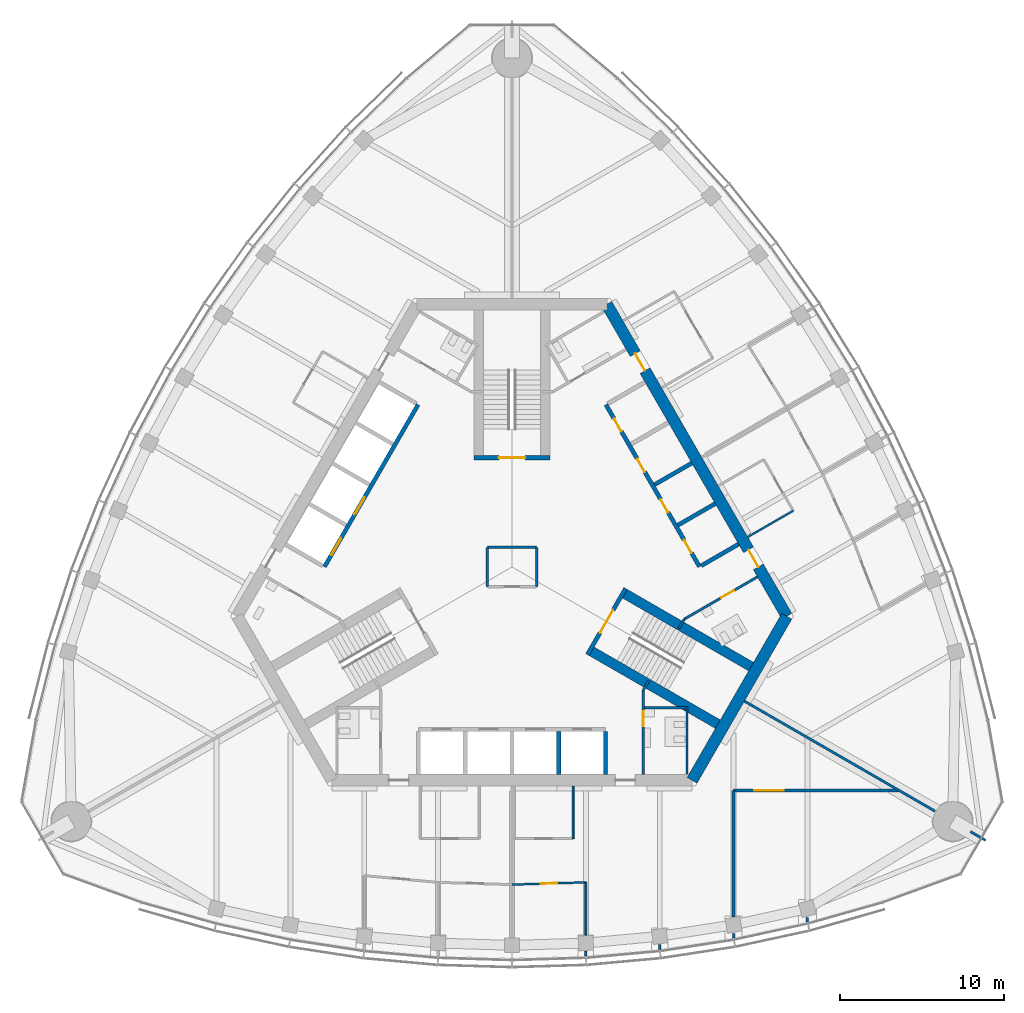
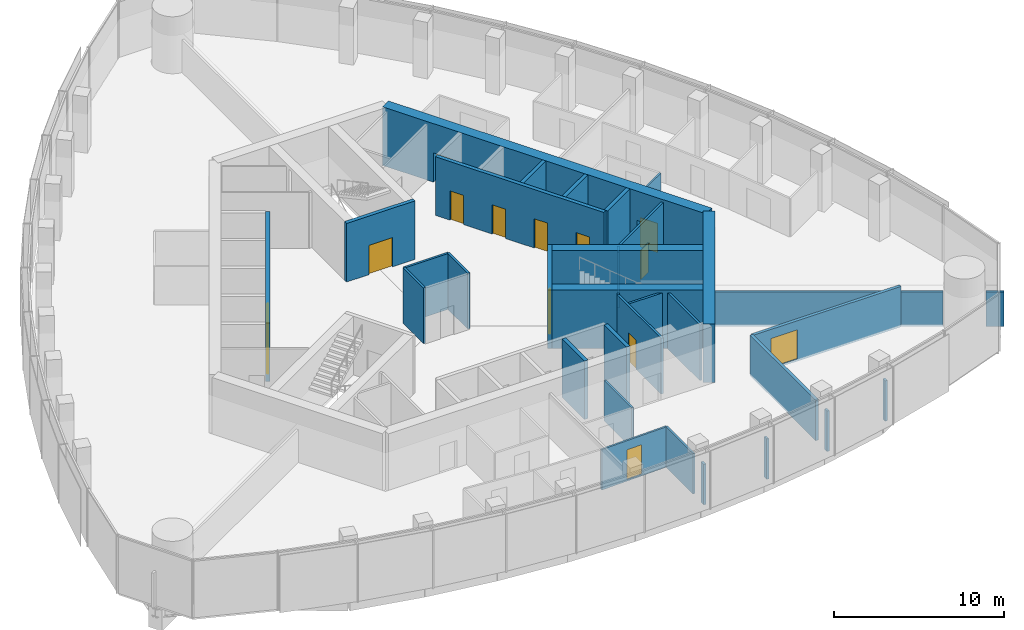
# One storey, part 9 of 16: 34 walls, 14 doors, 14 openings.
"""IFC4 building model written with IfcOpenShell, lengths in metres."""

from ifc_helpers import new_model, si_unit, direction, frame, frame_2d, origin, place, context, subcontext, project, spatial, rectangle, extrude, material, layer, layer_set, type_object, element, fill, save


model = new_model("IFC4")

# Units and contexts
model_context = context("Model", 3, precision=1e-05, world=origin(), true_north=direction((0.0, 1.0)))
body_context = subcontext(model_context, "Body", "Model", "MODEL_VIEW")
ifc_project = project(units=[si_unit("LENGTHUNIT", "METRE"), si_unit("AREAUNIT", "SQUARE_METRE"), si_unit("VOLUMEUNIT", "CUBIC_METRE"), si_unit("PLANEANGLEUNIT", "RADIAN"), si_unit("MASSUNIT", "GRAM", prefix="KILO")], contexts=[model_context])

# Site, building, storey
site_placement = place(None, origin())
site = spatial("IfcSite", under=ifc_project, at=site_placement, CompositionType="ELEMENT")
building_placement = place(site_placement, origin())
building = spatial("IfcBuilding", under=site, at=building_placement, Name="Trefoil Bronze Tower", CompositionType="ELEMENT")
storey_placement = place(building_placement, frame((0.0, 0.0, 297.300048828125)))
storey = spatial("IfcBuildingStorey", under=building, at=storey_placement, Name="L68", CompositionType="ELEMENT", Elevation=297.300048828125)

# Wall, opening, door
ifc_material_1 = material(Name="Gypsum board on steel studs", Category="steel")
ifc_layer_1 = layer(ifc_material_1, 0.199951171875)
ifc_layer_set_1 = layer_set([ifc_layer_1], Name="Acoustic partition 200")
wall_type_1 = type_object("IfcWallType", Name="Acoustic partition 200", PredefinedType="PARTITIONING", material=ifc_layer_set_1)
wall_1_placement = place(storey_placement, frame((13.5, -13.6201171875, 0.0), z_axis=(0.0, 0.0, 1.0), x_axis=(1.0, 0.0, 0.0)))
wall_1 = element("IfcWall", 1, at=wall_1_placement, inside=storey, type_object=wall_type_1, Name="Partition F1 L68", PredefinedType="PARTITIONING", context=body_context, shape_type="SweptSolid", body=[
    extrude(rectangle(XDim=10.070068359375, YDim=0.199951171875, at=frame_2d((5.03515625, 0.0))), origin(), (0.0, 0.0, 1.0), 2.89990234375),
])
opening_1_placement = place(wall_1_placement, frame((1.25, 0.0, 0.14990234375)))
opening_1 = element("IfcOpeningElement", 2, at=opening_1_placement, cuts=wall_1, Name="Opening D10", PredefinedType="OPENING", context=body_context, shape_type="SweptSolid", body=[
    extrude(rectangle(XDim=1.800048828125, YDim=2.10009765625, at=frame_2d((0.89990234375, 1.050048828125))), frame((0.0, 0.10986328125, 0.0), z_axis=(0.0, -1.0, 0.0), x_axis=(1.0, 0.0, 0.0)), (0.0, 0.0, 1.0), 0.219970703125),
])
ifc_material_2 = material(Name="Timber door", Category="wood")
door_type_1 = type_object("IfcDoorType", Name="Double door 1800", OperationType="DOUBLE_DOOR_SINGLE_SWING", PredefinedType="DOOR", material=ifc_material_2)
door_1_placement = place(opening_1_placement, frame((1.800048828125, 0.0, 0.0), z_axis=(0.0, 0.0, 1.0), x_axis=(-1.0, 0.0, 0.0)))
door_1 = element("IfcDoor", 3, at=door_1_placement, inside=storey, type_object=door_type_1, Name="Boardroom door F1 L68", OperationType="DOUBLE_DOOR_SINGLE_SWING", OverallHeight=2.10009765625, OverallWidth=1.800048828125, PredefinedType="DOOR", context=body_context, shape_type="SweptSolid", body=[
    extrude(rectangle(XDim=1.800048828125, YDim=2.10009765625, at=frame_2d((0.89990234375, 1.050048828125))), frame((0.0, 0.02490234375, 0.0), z_axis=(0.0, -1.0, 0.0), x_axis=(1.0, 0.0, 0.0)), (0.0, 0.0, 1.0), 0.050048828125),
])
fill(opening_1, door_1)

# Walls
wall_2_placement = place(storey_placement, frame((13.5, -13.6201171875, 0.0), z_axis=(0.0, 0.0, 1.0), x_axis=(0.0, -1.0, 0.0)))
element("IfcWall", 4, at=wall_2_placement, inside=storey, type_object=wall_type_1, Name="Partition F1 L68", PredefinedType="PARTITIONING", context=body_context, shape_type="SweptSolid", body=[
    extrude(rectangle(XDim=7.694580078125, YDim=0.199951171875, at=frame_2d((3.84716796875, 0.0))), origin(), (0.0, 0.0, 1.0), 2.89990234375),
])
ifc_material_3 = material(Name="Concrete B80", Category="concrete")
ifc_layer_2 = layer(ifc_material_3, 0.699951171875)
ifc_layer_set_2 = layer_set([ifc_layer_2], Name="Core wall 700")
wall_type_2 = type_object("IfcWallType", Name="Core wall 700", PredefinedType="SHEAR", material=ifc_layer_set_2)
wall_3_placement = place(storey_placement, frame((10.9697265625, -13.0, 0.0), z_axis=(0.0, 0.0, 1.0), x_axis=(0.499995765644, 0.866027848477, 0.0)))
element("IfcWall", 5, at=wall_3_placement, inside=storey, type_object=wall_type_2, Name="Core short wall 1 L68", PredefinedType="SHEAR", context=body_context, shape_type="SweptSolid", body=[
    extrude(rectangle(XDim=11.546875, YDim=0.699951171875, at=frame_2d((5.7734375, 0.0))), origin(), (0.0, 0.0, 1.0), 4.199951171875),
])

# Wall, openings, doors
wall_4_placement = place(storey_placement, frame((16.7431640625, -3.0, 0.0), z_axis=(0.0, 0.0, 1.0), x_axis=(-0.500002442456, 0.866023993627, 0.0)))
wall_4 = element("IfcWall", 6, at=wall_4_placement, inside=storey, type_object=wall_type_2, Name="Core long wall 2 L68", PredefinedType="SHEAR", context=body_context, shape_type="SweptSolid", body=[
    extrude(rectangle(XDim=21.939453125, YDim=0.699951171875, at=frame_2d((10.9697265625, 0.0))), origin(), (0.0, 0.0, 1.0), 4.199951171875),
])
opening_2_placement = place(wall_4_placement, frame((17.269775390625, 0.0, 0.0)))
opening_2 = element("IfcOpeningElement", 7, at=opening_2_placement, cuts=wall_4, Name="Opening D2", PredefinedType="OPENING", context=body_context, shape_type="SweptSolid", body=[
    extrude(rectangle(XDim=1.199951171875, YDim=2.10009765625, at=frame_2d((0.60009765625, 1.050048828125))), frame((0.0, 0.35986328125, 0.0), z_axis=(0.0, -1.0, 0.0), x_axis=(1.0, 0.0, 0.0)), (0.0, 0.0, 1.0), 0.719970703125),
])
opening_3_placement = place(wall_4_placement, frame((3.4697265625, 0.0, 0.0)))
opening_3 = element("IfcOpeningElement", 8, at=opening_3_placement, cuts=wall_4, Name="Opening D2", PredefinedType="OPENING", context=body_context, shape_type="SweptSolid", body=[
    extrude(rectangle(XDim=1.199951171875, YDim=2.10009765625, at=frame_2d((0.60009765625, 1.050048828125))), frame((0.0, 0.35986328125, 0.0), z_axis=(0.0, -1.0, 0.0), x_axis=(1.0, 0.0, 0.0)), (0.0, 0.0, 1.0), 0.719970703125),
])
ifc_material_4 = material(Name="Steel door", Category="steel")
door_type_2 = type_object("IfcDoorType", Name="Lobby door 1200", OperationType="SINGLE_SWING_RIGHT", PredefinedType="DOOR", material=ifc_material_4)
door_2_placement = place(opening_2_placement, origin())
door_2 = element("IfcDoor", 9, at=door_2_placement, inside=storey, type_object=door_type_2, Name="Lobby door F2+ L68", OperationType="SINGLE_SWING_RIGHT", OverallHeight=2.10009765625, OverallWidth=1.199951171875, PredefinedType="DOOR", context=body_context, shape_type="SweptSolid", body=[
    extrude(rectangle(XDim=1.199951171875, YDim=2.10009765625, at=frame_2d((0.60009765625, 1.050048828125))), frame((0.0, 0.02490234375, 0.0), z_axis=(0.0, -1.0, 0.0), x_axis=(1.0, 0.0, 0.0)), (0.0, 0.0, 1.0), 0.050048828125),
])
fill(opening_2, door_2)
door_3_placement = place(opening_3_placement, origin())
door_3 = element("IfcDoor", 10, at=door_3_placement, inside=storey, type_object=door_type_2, Name="Lobby door F2- L68", OperationType="SINGLE_SWING_LEFT", OverallHeight=2.10009765625, OverallWidth=1.199951171875, PredefinedType="DOOR", context=body_context, shape_type="SweptSolid", body=[
    extrude(rectangle(XDim=1.199951171875, YDim=2.10009765625, at=frame_2d((0.60009765625, 1.050048828125))), frame((0.0, 0.02490234375, 0.0), z_axis=(0.0, -1.0, 0.0), x_axis=(1.0, 0.0, 0.0)), (0.0, 0.0, 1.0), 0.050048828125),
])
fill(opening_3, door_3)

# Wall
ifc_material_5 = material(Name="Glazed partition", Category="glass")
ifc_layer_3 = layer(ifc_material_5, 0.1201171875)
ifc_layer_set_3 = layer_set([ifc_layer_3], Name="Glazed partition 120")
wall_type_3 = type_object("IfcWallType", Name="Glazed partition 120", PredefinedType="PARTITIONING", material=ifc_layer_set_3)
wall_5_placement = place(storey_placement, frame((3.72509765625, -13.35009765625, 0.0), z_axis=(0.0, 0.0, 1.0), x_axis=(0.0, -1.0, 0.0)))
element("IfcWall", 11, at=wall_5_placement, inside=storey, type_object=wall_type_3, Name="Partition F1 L68", PredefinedType="PARTITIONING", context=body_context, shape_type="SweptSolid", body=[
    extrude(rectangle(XDim=3.199951171875, YDim=0.1201171875, at=frame_2d((1.60009765625, 0.0))), origin(), (0.0, 0.0, 1.0), 2.89990234375),
])

# Wall, opening, door
wall_6_placement = place(storey_placement, frame((0.0, -19.3515625, 0.0), z_axis=(0.0, 0.0, 1.0), x_axis=(0.999542074227, 0.030259574513, 0.0)))
wall_6 = element("IfcWall", 12, at=wall_6_placement, inside=storey, type_object=wall_type_3, Name="Partition F1 L68", PredefinedType="PARTITIONING", context=body_context, shape_type="SweptSolid", body=[
    extrude(rectangle(XDim=4.501953125, YDim=0.1201171875, at=frame_2d((2.2509765625, 0.0))), origin(), (0.0, 0.0, 1.0), 2.89990234375),
])
opening_4_placement = place(wall_6_placement, frame((1.75, 0.0, 0.14990234375)))
opening_4 = element("IfcOpeningElement", 13, at=opening_4_placement, cuts=wall_6, Name="Opening D9", PredefinedType="OPENING", context=body_context, shape_type="SweptSolid", body=[
    extrude(rectangle(XDim=1.0, YDim=2.10009765625, at=frame_2d((0.5, 1.050048828125))), frame((0.0, 0.070068359375, 0.0), z_axis=(0.0, -1.0, 0.0), x_axis=(1.0, 0.0, 0.0)), (0.0, 0.0, 1.0), 0.14013671875),
])
ifc_material_6 = material(Name="Glazed timber door", Category="wood")
door_type_3 = type_object("IfcDoorType", Name="Meeting room door 1000", OperationType="SINGLE_SWING_LEFT", PredefinedType="DOOR", material=ifc_material_6)
door_4_placement = place(opening_4_placement, frame((1.0, 0.0, 0.0), z_axis=(0.0, 0.0, 1.0), x_axis=(-1.0, 0.0, 0.0)))
door_4 = element("IfcDoor", 14, at=door_4_placement, inside=storey, type_object=door_type_3, Name="Client meeting room door F1 L68", OperationType="SINGLE_SWING_RIGHT", OverallHeight=2.10009765625, OverallWidth=1.0, PredefinedType="DOOR", context=body_context, shape_type="SweptSolid", body=[
    extrude(rectangle(XDim=1.0, YDim=2.10009765625, at=frame_2d((0.5, 1.050048828125))), frame((0.0, 0.02490234375, 0.0), z_axis=(0.0, -1.0, 0.0), x_axis=(1.0, 0.0, 0.0)), (0.0, 0.0, 1.0), 0.050048828125),
])
fill(opening_4, door_4)

# Walls
wall_7_placement = place(storey_placement, frame((4.5, -19.21533203125, 0.0), z_axis=(0.0, 0.0, 1.0), x_axis=(0.0, -1.0, 0.0)))
element("IfcWall", 15, at=wall_7_placement, inside=storey, type_object=wall_type_3, Name="Partition F1 L68", PredefinedType="PARTITIONING", context=body_context, shape_type="SweptSolid", body=[
    extrude(rectangle(XDim=3.2177734375, YDim=0.1201171875, at=frame_2d((1.60888671875, 0.0))), origin(), (0.0, 0.0, 1.0), 2.89990234375),
])
wall_8_placement = place(storey_placement, frame((14.361328125, 1.8251953125, 0.0), z_axis=(0.0, 0.0, 1.0), x_axis=(0.866028054938, 0.499995408039, 0.0)))
element("IfcWall", 16, at=wall_8_placement, inside=storey, type_object=wall_type_3, Name="Partition F2 L68", PredefinedType="PARTITIONING", context=body_context, shape_type="SweptSolid", body=[
    extrude(rectangle(XDim=3.2001953125, YDim=0.1201171875, at=frame_2d((1.60009765625, 0.0))), origin(), (0.0, 0.0, 1.0), 2.89990234375),
])

# Wall, opening, door
ifc_material_7 = material(Name="Gypsum board on steel studs", Category="steel")
ifc_layer_4 = layer(ifc_material_7, 0.14990234375)
ifc_layer_set_4 = layer_set([ifc_layer_4], Name="Partition 150")
wall_type_4 = type_object("IfcWallType", Name="Partition 150", PredefinedType="PARTITIONING", material=ifc_layer_set_4)
wall_9_placement = place(storey_placement, frame((8.0, -7.5, 0.0), z_axis=(0.0, 0.0, 1.0), x_axis=(0.0, -1.0, 0.0)))
wall_9 = element("IfcWall", 17, at=wall_9_placement, inside=storey, type_object=wall_type_4, Name="Passage wall F1+ L68", PredefinedType="PARTITIONING", context=body_context, shape_type="SweptSolid", body=[
    extrude(rectangle(XDim=5.14990234375, YDim=0.14990234375, at=frame_2d((2.574951171875, 0.0))), origin(), (0.0, 0.0, 1.0), 4.0),
])
opening_5_placement = place(wall_9_placement, frame((1.300048828125, 0.0, 0.0)))
opening_5 = element("IfcOpeningElement", 18, at=opening_5_placement, cuts=wall_9, Name="Opening D3", PredefinedType="OPENING", context=body_context, shape_type="SweptSolid", body=[
    extrude(rectangle(XDim=0.89990234375, YDim=2.10009765625, at=frame_2d((0.449951171875, 1.050048828125))), frame((0.0, 0.0849609375, 0.0), z_axis=(0.0, -1.0, 0.0), x_axis=(1.0, 0.0, 0.0)), (0.0, 0.0, 1.0), 0.169921875),
])
ifc_material_8 = material(Name="Timber door", Category="wood")
door_type_4 = type_object("IfcDoorType", Name="WC door 900", OperationType="SINGLE_SWING_LEFT", PredefinedType="DOOR", material=ifc_material_8)
door_5_placement = place(opening_5_placement, origin())
door_5 = element("IfcDoor", 19, at=door_5_placement, inside=storey, type_object=door_type_4, Name="WC (men) door L68", OperationType="SINGLE_SWING_LEFT", OverallHeight=2.10009765625, OverallWidth=0.89990234375, PredefinedType="DOOR", context=body_context, shape_type="SweptSolid", body=[
    extrude(rectangle(XDim=0.89990234375, YDim=2.10009765625, at=frame_2d((0.449951171875, 1.050048828125))), frame((0.0, 0.02490234375, 0.0), z_axis=(0.0, -1.0, 0.0), x_axis=(1.0, 0.0, 0.0)), (0.0, 0.0, 1.0), 0.050048828125),
])
fill(opening_5, door_5)

wall_10_placement = place(storey_placement, frame((10.4951171875, -3.17822265625, 0.0), z_axis=(0.0, 0.0, 1.0), x_axis=(0.866037967349, 0.499978238636, 0.0)))
wall_10 = element("IfcWall", 20, at=wall_10_placement, inside=storey, type_object=wall_type_4, Name="Passage wall F2- L68", PredefinedType="PARTITIONING", context=body_context, shape_type="SweptSolid", body=[
    extrude(rectangle(XDim=5.150146484375, YDim=0.14990234375, at=frame_2d((2.5751953125, 0.0))), origin(), (0.0, 0.0, 1.0), 4.0),
])
opening_6_placement = place(wall_10_placement, frame((2.60009765625, 0.0, 0.0)))
opening_6 = element("IfcOpeningElement", 21, at=opening_6_placement, cuts=wall_10, Name="Opening D3", PredefinedType="OPENING", context=body_context, shape_type="SweptSolid", body=[
    extrude(rectangle(XDim=0.89990234375, YDim=2.10009765625, at=frame_2d((0.449951171875, 1.050048828125))), frame((0.0, 0.0849609375, 0.0), z_axis=(0.0, -1.0, 0.0), x_axis=(1.0, 0.0, 0.0)), (0.0, 0.0, 1.0), 0.169921875),
])
door_6_placement = place(opening_6_placement, frame((0.89990234375, 0.0, 0.0), z_axis=(0.0, 0.0, 1.0), x_axis=(-1.0, 0.0, 0.0)))
door_6 = element("IfcDoor", 22, at=door_6_placement, inside=storey, type_object=door_type_4, Name="WC (women) door L68", OperationType="SINGLE_SWING_LEFT", OverallHeight=2.10009765625, OverallWidth=0.89990234375, PredefinedType="DOOR", context=body_context, shape_type="SweptSolid", body=[
    extrude(rectangle(XDim=0.89990234375, YDim=2.10009765625, at=frame_2d((0.449951171875, 1.050048828125))), frame((0.0, 0.02490234375, 0.0), z_axis=(0.0, -1.0, 0.0), x_axis=(1.0, 0.0, 0.0)), (0.0, 0.0, 1.0), 0.050048828125),
])
fill(opening_6, door_6)

# Walls
for number, where, z_axis, x_axis, name in (
    (23, (8.0, -7.5, 0.0), (0.0, 0.0, 1.0), (0.499842556608, 0.866116284689, 0.0), "WC wall ST1-1 L68"),
    (24, (10.4951171875, -3.17822265625, 0.0), (0.0, 0.0, 1.0), (-0.499842556608, -0.866116284689, 0.0), "WC wall ST1+1 L68"),
):
    element("IfcWall", number, at=place(storey_placement, frame(where, z_axis=z_axis, x_axis=x_axis)), inside=storey, type_object=wall_type_4, Name=name, PredefinedType="PARTITIONING", context=body_context, shape_type="SweptSolid", body=[
        extrude(rectangle(XDim=0.645263671875, YDim=0.14990234375, at=frame_2d((0.32275390625, 0.0))), origin(), (0.0, 0.0, 1.0), 4.0),
    ])
wall_11_placement = place(storey_placement, frame((10.659912109375, -8.5, 0.0), z_axis=(0.0, 0.0, 1.0), x_axis=(0.0, -1.0, 0.0)))
element("IfcWall", 25, at=wall_11_placement, inside=storey, type_object=wall_type_4, Name="WC partition WC (men) L68", PredefinedType="PARTITIONING", context=body_context, shape_type="SweptSolid", body=[
    extrude(rectangle(XDim=4.10009765625, YDim=0.14990234375, at=frame_2d((2.050048828125, 0.0))), origin(), (0.0, 0.0, 1.0), 4.0),
])
wall_12_placement = place(storey_placement, frame((8.074951171875, -8.574951171875, 0.0), z_axis=(0.0, 0.0, 1.0), x_axis=(1.0, 0.0, 0.0)))
element("IfcWall", 26, at=wall_12_placement, inside=storey, type_object=wall_type_4, Name="WC partition WC (men) L68", PredefinedType="PARTITIONING", context=body_context, shape_type="SweptSolid", body=[
    extrude(rectangle(XDim=2.510009765625, YDim=0.14990234375, at=frame_2d((1.2548828125, 0.0))), origin(), (0.0, 0.0, 1.0), 4.0),
])
wall_13_placement = place(storey_placement, frame((13.5, -22.3310546875, 0.0), z_axis=(0.0, 0.0, 1.0), x_axis=(0.0, -1.0, 0.0)))
element("IfcWall", 27, at=wall_13_placement, inside=storey, type_object=wall_type_4, Name="Partition F1 L68", PredefinedType="PARTITIONING", context=body_context, shape_type="SweptSolid", body=[
    extrude(rectangle(XDim=0.2802734375, YDim=0.14990234375, at=frame_2d((0.14013671875, 0.0))), origin(), (0.0, 0.0, 1.0), 2.89990234375),
])
wall_14_placement = place(storey_placement, frame((18.0, -21.365966796875, 0.0), z_axis=(0.0, 0.0, 1.0), x_axis=(0.0, -1.0, 0.0)))
element("IfcWall", 28, at=wall_14_placement, inside=storey, type_object=wall_type_4, Name="Partition F1 L68", PredefinedType="PARTITIONING", context=body_context, shape_type="SweptSolid", body=[
    extrude(rectangle(XDim=0.269775390625, YDim=0.14990234375, at=frame_2d((0.134765625, 0.0))), origin(), (0.0, 0.0, 1.0), 2.89990234375),
])
wall_15_placement = place(storey_placement, frame((4.5, -23.394287109375, 0.0), z_axis=(0.0, 0.0, 1.0), x_axis=(0.0, -1.0, 0.0)))
element("IfcWall", 29, at=wall_15_placement, inside=storey, type_object=wall_type_4, Name="Partition F1 L68", PredefinedType="PARTITIONING", context=body_context, shape_type="SweptSolid", body=[
    extrude(rectangle(XDim=0.316162109375, YDim=0.14990234375, at=frame_2d((0.158203125, 0.0))), origin(), (0.0, 0.0, 1.0), 2.89990234375),
])
wall_16_placement = place(storey_placement, frame((9.0, -23.00439453125, 0.0), z_axis=(0.0, 0.0, 1.0), x_axis=(0.0, -1.0, 0.0)))
element("IfcWall", 30, at=wall_16_placement, inside=storey, type_object=wall_type_4, Name="Partition F1 L68", PredefinedType="PARTITIONING", context=body_context, shape_type="SweptSolid", body=[
    extrude(rectangle(XDim=0.295654296875, YDim=0.14990234375, at=frame_2d((0.14794921875, 0.0))), origin(), (0.0, 0.0, 1.0), 2.89990234375),
])
ifc_material_9 = material(Name="Gypsum board on steel studs", Category="steel")
ifc_layer_5 = layer(ifc_material_9, 0.14990234375)
ifc_layer_set_5 = layer_set([ifc_layer_5], Name="Party wall 150")
wall_type_5 = type_object("IfcWallType", Name="Party wall 150", PredefinedType="PARTITIONING", material=ifc_layer_set_5)
wall_17_placement = place(storey_placement, frame((14.159423828125, -8.175048828125, 0.0), z_axis=(0.0, 0.0, 1.0), x_axis=(0.866026905467, -0.499997399001, 0.0)))
element("IfcWall", 31, at=wall_17_placement, inside=storey, type_object=wall_type_5, Name="Party wall K1 L68", PredefinedType="PARTITIONING", context=body_context, shape_type="SweptSolid", body=[
    extrude(rectangle(XDim=13.39990234375, YDim=0.14990234375, at=frame_2d((6.699951171875, 0.0))), origin(), (0.0, 0.0, 1.0), 2.5),
])
wall_18_placement = place(storey_placement, frame((27.92919921875, -16.125, 0.0), z_axis=(0.0, 0.0, 1.0), x_axis=(0.866086810508, -0.499893625349, 0.0)))
element("IfcWall", 32, at=wall_18_placement, inside=storey, type_object=wall_type_5, Name="Party wall K1 L68", PredefinedType="PARTITIONING", context=body_context, shape_type="SweptSolid", body=[
    extrude(rectangle(XDim=1.070068359375, YDim=0.14990234375, at=frame_2d((0.53515625, 0.0))), origin(), (0.0, 0.0, 1.0), 2.5),
])
ifc_material_10 = material(Name="Gypsum board on steel studs", Category="steel")
ifc_layer_6 = layer(ifc_material_10, 0.14990234375)
ifc_layer_set_6 = layer_set([ifc_layer_6], Name="Riser wall 150")
wall_type_6 = type_object("IfcWallType", Name="Riser wall 150", PredefinedType="PARTITIONING", material=ifc_layer_set_6)
wall_19_placement = place(storey_placement, frame((1.5, -1.199951171875, 0.0), z_axis=(0.0, 0.0, 1.0), x_axis=(0.0, 1.0, 0.0)))
element("IfcWall", 33, at=wall_19_placement, inside=storey, type_object=wall_type_6, Name="Riser wall L68", PredefinedType="PARTITIONING", context=body_context, shape_type="SweptSolid", body=[
    extrude(rectangle(XDim=2.39990234375, YDim=0.14990234375, at=frame_2d((1.199951171875, 0.0))), origin(), (0.0, 0.0, 1.0), 4.0),
])
wall_20_placement = place(storey_placement, frame((1.5, 1.199951171875, 0.0), z_axis=(0.0, 0.0, 1.0), x_axis=(-1.0, 0.0, 0.0)))
element("IfcWall", 34, at=wall_20_placement, inside=storey, type_object=wall_type_6, Name="Riser wall L68", PredefinedType="PARTITIONING", context=body_context, shape_type="SweptSolid", body=[
    extrude(rectangle(XDim=3.0, YDim=0.14990234375, at=frame_2d((1.5, 0.0))), origin(), (0.0, 0.0, 1.0), 4.0),
])
wall_21_placement = place(storey_placement, frame((-1.5, 1.199951171875, 0.0), z_axis=(0.0, 0.0, 1.0), x_axis=(0.0, -1.0, 0.0)))
element("IfcWall", 35, at=wall_21_placement, inside=storey, type_object=wall_type_6, Name="Riser wall L68", PredefinedType="PARTITIONING", context=body_context, shape_type="SweptSolid", body=[
    extrude(rectangle(XDim=2.39990234375, YDim=0.14990234375, at=frame_2d((1.199951171875, 0.0))), origin(), (0.0, 0.0, 1.0), 4.0),
])
ifc_material_11 = material(Name="Concrete B80", Category="concrete")
ifc_layer_7 = layer(ifc_material_11, 0.25)
ifc_layer_set_7 = layer_set([ifc_layer_7], Name="Shaft wall 250")
wall_type_7 = type_object("IfcWallType", Name="Shaft wall 250", PredefinedType="SHEAR", material=ifc_layer_set_7)
for number, where, z_axis, x_axis, name in (
    (36, (2.85009765625, -10.02490234375, 0.0), (0.0, 0.0, 1.0), (0.0, -1.0, 0.0), "Lift shaft side wall A3 L68"),
    (37, (5.699951171875, -10.02490234375, 0.0), (0.0, 0.0, 1.0), (0.0, -1.0, 0.0), "Lift shaft side wall A4 L68"),
):
    element("IfcWall", number, at=place(storey_placement, frame(where, z_axis=z_axis, x_axis=x_axis)), inside=storey, type_object=wall_type_7, Name=name, PredefinedType="SHEAR", context=body_context, shape_type="SweptSolid", body=[
        extrude(rectangle(XDim=2.625, YDim=0.25, at=frame_2d((1.3125, 0.0))), origin(), (0.0, 0.0, 1.0), 4.199951171875),
    ])

# Wall, openings, doors
wall_22_placement = place(storey_placement, frame((11.423583984375, 0.013671875, 0.0), z_axis=(0.0, 0.0, 1.0), x_axis=(-0.500001763848, 0.866024385424, 0.0)))
wall_22 = element("IfcWall", 38, at=wall_22_placement, inside=storey, type_object=wall_type_7, Name="Lift shaft front wall B L68", PredefinedType="SHEAR", context=body_context, shape_type="SweptSolid", body=[
    extrude(rectangle(XDim=11.39990234375, YDim=0.25, at=frame_2d((5.699951171875, 0.0))), origin(), (0.0, 0.0, 1.0), 4.199951171875),
])
opening_7_placement = place(wall_22_placement, frame((0.97509765625, 0.0, 0.0)))
opening_7 = element("IfcOpeningElement", 39, at=opening_7_placement, cuts=wall_22, Name="Opening D12", PredefinedType="OPENING", context=body_context, shape_type="SweptSolid", body=[
    extrude(rectangle(XDim=0.89990234375, YDim=2.10009765625, at=frame_2d((0.449951171875, 1.050048828125))), frame((0.0, 0.135009765625, 0.0), z_axis=(0.0, -1.0, 0.0), x_axis=(1.0, 0.0, 0.0)), (0.0, 0.0, 1.0), 0.27001953125),
])
opening_8_placement = place(wall_22_placement, frame((3.824951171875, 0.0, 0.0)))
opening_8 = element("IfcOpeningElement", 40, at=opening_8_placement, cuts=wall_22, Name="Opening D12", PredefinedType="OPENING", context=body_context, shape_type="SweptSolid", body=[
    extrude(rectangle(XDim=0.89990234375, YDim=2.10009765625, at=frame_2d((0.449951171875, 1.050048828125))), frame((0.0, 0.135009765625, 0.0), z_axis=(0.0, -1.0, 0.0), x_axis=(1.0, 0.0, 0.0)), (0.0, 0.0, 1.0), 0.27001953125),
])
opening_9_placement = place(wall_22_placement, frame((6.675048828125, 0.0, 0.0)))
opening_9 = element("IfcOpeningElement", 41, at=opening_9_placement, cuts=wall_22, Name="Opening D12", PredefinedType="OPENING", context=body_context, shape_type="SweptSolid", body=[
    extrude(rectangle(XDim=0.89990234375, YDim=2.10009765625, at=frame_2d((0.449951171875, 1.050048828125))), frame((0.0, 0.135009765625, 0.0), z_axis=(0.0, -1.0, 0.0), x_axis=(1.0, 0.0, 0.0)), (0.0, 0.0, 1.0), 0.27001953125),
])
opening_10_placement = place(wall_22_placement, frame((9.52490234375, 0.0, 0.0)))
opening_10 = element("IfcOpeningElement", 42, at=opening_10_placement, cuts=wall_22, Name="Opening D12", PredefinedType="OPENING", context=body_context, shape_type="SweptSolid", body=[
    extrude(rectangle(XDim=0.89990234375, YDim=2.10009765625, at=frame_2d((0.449951171875, 1.050048828125))), frame((0.0, 0.135009765625, 0.0), z_axis=(0.0, -1.0, 0.0), x_axis=(1.0, 0.0, 0.0)), (0.0, 0.0, 1.0), 0.27001953125),
])
ifc_material_12 = material(Name="Steel door", Category="steel")
door_type_5 = type_object("IfcDoorType", Name="Shaft room door 900", OperationType="SINGLE_SWING_LEFT", PredefinedType="DOOR", material=ifc_material_12)
door_7_placement = place(opening_7_placement, frame((0.89990234375, 0.0, 0.0), z_axis=(0.0, 0.0, 1.0), x_axis=(-1.0, 0.0, 0.0)))
door_7 = element("IfcDoor", 43, at=door_7_placement, inside=storey, type_object=door_type_5, Name="Shaft room door B1 L68", OperationType="SINGLE_SWING_LEFT", OverallHeight=2.10009765625, OverallWidth=0.89990234375, PredefinedType="DOOR", context=body_context, shape_type="SweptSolid", body=[
    extrude(rectangle(XDim=0.89990234375, YDim=2.10009765625, at=frame_2d((0.449951171875, 1.050048828125))), frame((0.0, 0.02490234375, 0.0), z_axis=(0.0, -1.0, 0.0), x_axis=(1.0, 0.0, 0.0)), (0.0, 0.0, 1.0), 0.050048828125),
])
fill(opening_7, door_7)
door_8_placement = place(opening_8_placement, frame((0.89990234375, 0.0, 0.0), z_axis=(0.0, 0.0, 1.0), x_axis=(-1.0, 0.0, 0.0)))
door_8 = element("IfcDoor", 44, at=door_8_placement, inside=storey, type_object=door_type_5, Name="Shaft room door B2 L68", OperationType="SINGLE_SWING_RIGHT", OverallHeight=2.10009765625, OverallWidth=0.89990234375, PredefinedType="DOOR", context=body_context, shape_type="SweptSolid", body=[
    extrude(rectangle(XDim=0.89990234375, YDim=2.10009765625, at=frame_2d((0.449951171875, 1.050048828125))), frame((0.0, 0.02490234375, 0.0), z_axis=(0.0, -1.0, 0.0), x_axis=(1.0, 0.0, 0.0)), (0.0, 0.0, 1.0), 0.050048828125),
])
fill(opening_8, door_8)
door_9_placement = place(opening_9_placement, frame((0.89990234375, 0.0, 0.0), z_axis=(0.0, 0.0, 1.0), x_axis=(-1.0, 0.0, 0.0)))
door_9 = element("IfcDoor", 45, at=door_9_placement, inside=storey, type_object=door_type_5, Name="Shaft room door B3 L68", OperationType="SINGLE_SWING_RIGHT", OverallHeight=2.10009765625, OverallWidth=0.89990234375, PredefinedType="DOOR", context=body_context, shape_type="SweptSolid", body=[
    extrude(rectangle(XDim=0.89990234375, YDim=2.10009765625, at=frame_2d((0.449951171875, 1.050048828125))), frame((0.0, 0.02490234375, 0.0), z_axis=(0.0, -1.0, 0.0), x_axis=(1.0, 0.0, 0.0)), (0.0, 0.0, 1.0), 0.050048828125),
])
fill(opening_9, door_9)
door_10_placement = place(opening_10_placement, frame((0.89990234375, 0.0, 0.0), z_axis=(0.0, 0.0, 1.0), x_axis=(-1.0, 0.0, 0.0)))
door_10 = element("IfcDoor", 46, at=door_10_placement, inside=storey, type_object=door_type_5, Name="Shaft room door B4 L68", OperationType="SINGLE_SWING_RIGHT", OverallHeight=2.10009765625, OverallWidth=0.89990234375, PredefinedType="DOOR", context=body_context, shape_type="SweptSolid", body=[
    extrude(rectangle(XDim=0.89990234375, YDim=2.10009765625, at=frame_2d((0.449951171875, 1.050048828125))), frame((0.0, 0.02490234375, 0.0), z_axis=(0.0, -1.0, 0.0), x_axis=(1.0, 0.0, 0.0)), (0.0, 0.0, 1.0), 0.050048828125),
])
fill(opening_10, door_10)

# Walls
for number, where, z_axis, x_axis, name in (
    (47, (11.531982421875, 0.076171875, 0.0), (0.0, 0.0, 1.0), (0.866013657776, 0.500020344131, 0.0), "Lift shaft side wall B0 L68"),
    (48, (10.10693359375, 2.54443359375, 0.0), (0.0, 0.0, 1.0), (0.866013657776, 0.500020344131, 0.0), "Lift shaft side wall B1 L68"),
    (49, (8.681884765625, 5.012451171875, 0.0), (0.0, 0.0, 1.0), (0.866036909293, 0.499980071345, 0.0), "Lift shaft side wall B2 L68"),
):
    element("IfcWall", number, at=place(storey_placement, frame(where, z_axis=z_axis, x_axis=x_axis)), inside=storey, type_object=wall_type_7, Name=name, PredefinedType="SHEAR", context=body_context, shape_type="SweptSolid", body=[
        extrude(rectangle(XDim=2.625, YDim=0.25, at=frame_2d((1.3125, 0.0))), origin(), (0.0, 0.0, 1.0), 4.199951171875),
    ])

# Wall, openings, doors
wall_23_placement = place(storey_placement, frame((-5.7236328125, 9.88623046875, 0.0), z_axis=(0.0, 0.0, 1.0), x_axis=(-0.500001763848, -0.866024385424, 0.0)))
wall_23 = element("IfcWall", 50, at=wall_23_placement, inside=storey, type_object=wall_type_7, Name="Lift shaft front wall C L68", PredefinedType="SHEAR", context=body_context, shape_type="SweptSolid", body=[
    extrude(rectangle(XDim=11.39990234375, YDim=0.25, at=frame_2d((5.699951171875, 0.0))), origin(), (0.0, 0.0, 1.0), 4.199951171875),
])
opening_11_placement = place(wall_23_placement, frame((6.52490234375, 0.0, 0.0)))
opening_11 = element("IfcOpeningElement", 51, at=opening_11_placement, cuts=wall_23, Name="Opening LD-FL1", PredefinedType="OPENING", context=body_context, shape_type="SweptSolid", body=[
    extrude(rectangle(XDim=1.199951171875, YDim=2.199951171875, at=frame_2d((0.60009765625, 1.10009765625))), frame((0.0, 0.135009765625, 0.0), z_axis=(0.0, -1.0, 0.0), x_axis=(1.0, 0.0, 0.0)), (0.0, 0.0, 1.0), 0.27001953125),
])
opening_12_placement = place(wall_23_placement, frame((9.375, 0.0, 0.0)))
opening_12 = element("IfcOpeningElement", 52, at=opening_12_placement, cuts=wall_23, Name="Opening LD-FL2", PredefinedType="OPENING", context=body_context, shape_type="SweptSolid", body=[
    extrude(rectangle(XDim=1.199951171875, YDim=2.199951171875, at=frame_2d((0.60009765625, 1.10009765625))), frame((0.0, 0.135009765625, 0.0), z_axis=(0.0, -1.0, 0.0), x_axis=(1.0, 0.0, 0.0)), (0.0, 0.0, 1.0), 0.27001953125),
])
ifc_material_13 = material(Name="Steel door", Category="steel")
door_type_6 = type_object("IfcDoorType", Name="Lift landing door 1200", OperationType="DOUBLE_DOOR_SLIDING", PredefinedType="DOOR", material=ifc_material_13)
door_11_placement = place(opening_11_placement, origin())
door_11 = element("IfcDoor", 53, at=door_11_placement, inside=storey, type_object=door_type_6, Name="Lift FL1 landing door L68", OperationType="DOUBLE_DOOR_SLIDING", OverallHeight=2.199951171875, OverallWidth=1.199951171875, PredefinedType="DOOR", context=body_context, shape_type="SweptSolid", body=[
    extrude(rectangle(XDim=1.199951171875, YDim=2.199951171875, at=frame_2d((0.60009765625, 1.10009765625))), frame((0.0, 0.02490234375, 0.0), z_axis=(0.0, -1.0, 0.0), x_axis=(1.0, 0.0, 0.0)), (0.0, 0.0, 1.0), 0.050048828125),
])
fill(opening_11, door_11)
door_12_placement = place(opening_12_placement, origin())
door_12 = element("IfcDoor", 54, at=door_12_placement, inside=storey, type_object=door_type_6, Name="Lift FL2 landing door L68", OperationType="DOUBLE_DOOR_SLIDING", OverallHeight=2.199951171875, OverallWidth=1.199951171875, PredefinedType="DOOR", context=body_context, shape_type="SweptSolid", body=[
    extrude(rectangle(XDim=1.199951171875, YDim=2.199951171875, at=frame_2d((0.60009765625, 1.10009765625))), frame((0.0, 0.02490234375, 0.0), z_axis=(0.0, -1.0, 0.0), x_axis=(1.0, 0.0, 0.0)), (0.0, 0.0, 1.0), 0.050048828125),
])
fill(opening_12, door_12)

# Wall, opening, door
wall_24_placement = place(storey_placement, frame((4.5966796875, -5.338623046875, 0.0), z_axis=(0.0, 0.0, 1.0), x_axis=(0.499984536904, 0.866034331223, 0.0)))
wall_24 = element("IfcWall", 55, at=wall_24_placement, inside=storey, type_object=wall_type_7, Name="Stair end wall ST1 L68", PredefinedType="SHEAR", context=body_context, shape_type="SweptSolid", body=[
    extrude(rectangle(XDim=4.650146484375, YDim=0.25, at=frame_2d((2.3251953125, 0.0))), origin(), (0.0, 0.0, 1.0), 4.199951171875),
])
opening_13_placement = place(wall_24_placement, frame((1.52490234375, 0.0, 0.0)))
opening_13 = element("IfcOpeningElement", 56, at=opening_13_placement, cuts=wall_24, Name="Opening D1", PredefinedType="OPENING", context=body_context, shape_type="SweptSolid", body=[
    extrude(rectangle(XDim=1.60009765625, YDim=2.10009765625, at=frame_2d((0.800048828125, 1.050048828125))), frame((0.0, 0.135009765625, 0.0), z_axis=(0.0, -1.0, 0.0), x_axis=(1.0, 0.0, 0.0)), (0.0, 0.0, 1.0), 0.27001953125),
])
ifc_material_14 = material(Name="Steel door", Category="steel")
door_type_7 = type_object("IfcDoorType", Name="Stair door 1600", OperationType="DOUBLE_DOOR_SINGLE_SWING", PredefinedType="DOOR", material=ifc_material_14)
door_13_placement = place(opening_13_placement, frame((1.60009765625, 0.0, 0.0), z_axis=(0.0, 0.0, 1.0), x_axis=(-1.0, 0.0, 0.0)))
door_13 = element("IfcDoor", 57, at=door_13_placement, inside=storey, type_object=door_type_7, Name="Stair door ST1 L68", OperationType="DOUBLE_DOOR_SINGLE_SWING", OverallHeight=2.10009765625, OverallWidth=1.60009765625, PredefinedType="DOOR", context=body_context, shape_type="SweptSolid", body=[
    extrude(rectangle(XDim=1.60009765625, YDim=2.10009765625, at=frame_2d((0.800048828125, 1.050048828125))), frame((0.0, 0.02490234375, 0.0), z_axis=(0.0, -1.0, 0.0), x_axis=(1.0, 0.0, 0.0)), (0.0, 0.0, 1.0), 0.050048828125),
])
fill(opening_13, door_13)

wall_25_placement = place(storey_placement, frame((2.324951171875, 6.64990234375, 0.0), z_axis=(0.0, 0.0, 1.0), x_axis=(-1.0, 0.0, 0.0)))
wall_25 = element("IfcWall", 58, at=wall_25_placement, inside=storey, type_object=wall_type_7, Name="Stair end wall ST2 L68", PredefinedType="SHEAR", context=body_context, shape_type="SweptSolid", body=[
    extrude(rectangle(XDim=4.64990234375, YDim=0.25, at=frame_2d((2.324951171875, 0.0))), origin(), (0.0, 0.0, 1.0), 4.199951171875),
])
opening_14_placement = place(wall_25_placement, frame((1.52490234375, 0.0, 0.0)))
opening_14 = element("IfcOpeningElement", 59, at=opening_14_placement, cuts=wall_25, Name="Opening D1", PredefinedType="OPENING", context=body_context, shape_type="SweptSolid", body=[
    extrude(rectangle(XDim=1.60009765625, YDim=2.10009765625, at=frame_2d((0.800048828125, 1.050048828125))), frame((0.0, 0.135009765625, 0.0), z_axis=(0.0, -1.0, 0.0), x_axis=(1.0, 0.0, 0.0)), (0.0, 0.0, 1.0), 0.27001953125),
])
door_14_placement = place(opening_14_placement, frame((1.60009765625, 0.0, 0.0), z_axis=(0.0, 0.0, 1.0), x_axis=(-1.0, 0.0, 0.0)))
door_14 = element("IfcDoor", 60, at=door_14_placement, inside=storey, type_object=door_type_7, Name="Stair door ST2 L68", OperationType="DOUBLE_DOOR_SINGLE_SWING", OverallHeight=2.10009765625, OverallWidth=1.60009765625, PredefinedType="DOOR", context=body_context, shape_type="SweptSolid", body=[
    extrude(rectangle(XDim=1.60009765625, YDim=2.10009765625, at=frame_2d((0.800048828125, 1.050048828125))), frame((0.0, 0.02490234375, 0.0), z_axis=(0.0, -1.0, 0.0), x_axis=(1.0, 0.0, 0.0)), (0.0, 0.0, 1.0), 0.050048828125),
])
fill(opening_14, door_14)

# Walls
ifc_material_15 = material(Name="Concrete B80", Category="concrete")
ifc_layer_8 = layer(ifc_material_15, 0.60009765625)
ifc_layer_set_8 = layer_set([ifc_layer_8], Name="Stair wall 600")
wall_type_8 = type_object("IfcWallType", Name="Stair wall 600", PredefinedType="SHEAR", material=ifc_layer_set_8)
for number, where, z_axis, x_axis, name in (
    (61, (4.638427734375, -5.01611328125, 0.0), (0.0, 0.0, 1.0), (0.866021621257, -0.500006551472, 0.0), "Stair wall ST1 L68"),
    (62, (6.663330078125, -1.5087890625, 0.0), (0.0, 0.0, 1.0), (0.866028310072, -0.499994966129, 0.0), "Stair wall ST1 L68"),
):
    element("IfcWall", number, at=place(storey_placement, frame(where, z_axis=z_axis, x_axis=x_axis)), inside=storey, type_object=wall_type_8, Name=name, PredefinedType="SHEAR", context=body_context, shape_type="SweptSolid", body=[
        extrude(rectangle(XDim=9.125, YDim=0.60009765625, at=frame_2d((4.5625, 0.0))), origin(), (0.0, 0.0, 1.0), 4.199951171875),
    ])

save(model, "model.ifc")
